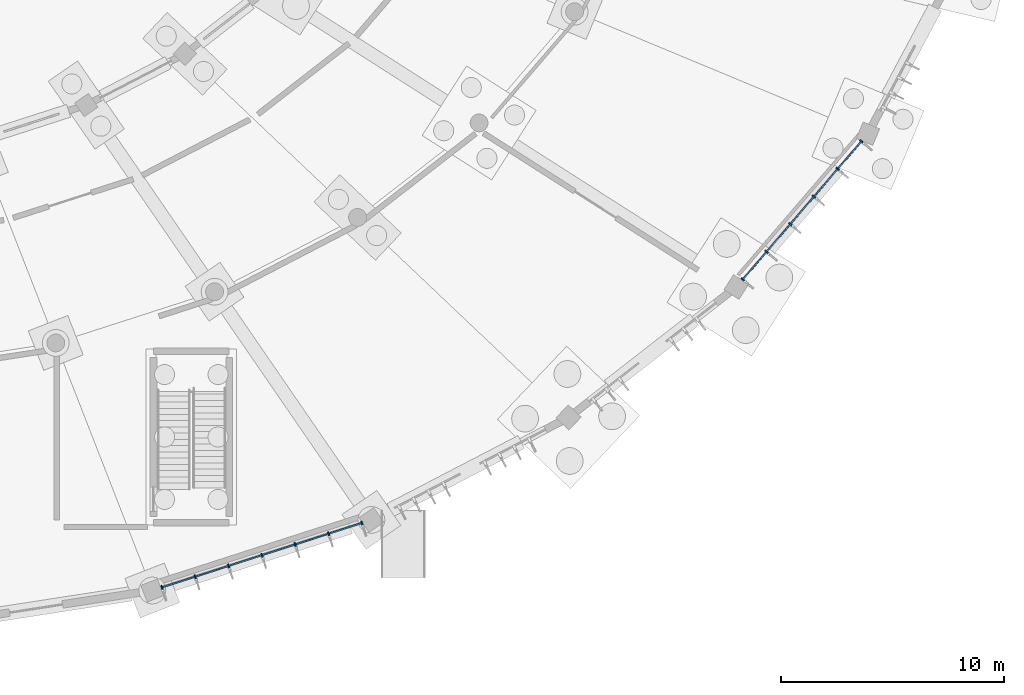
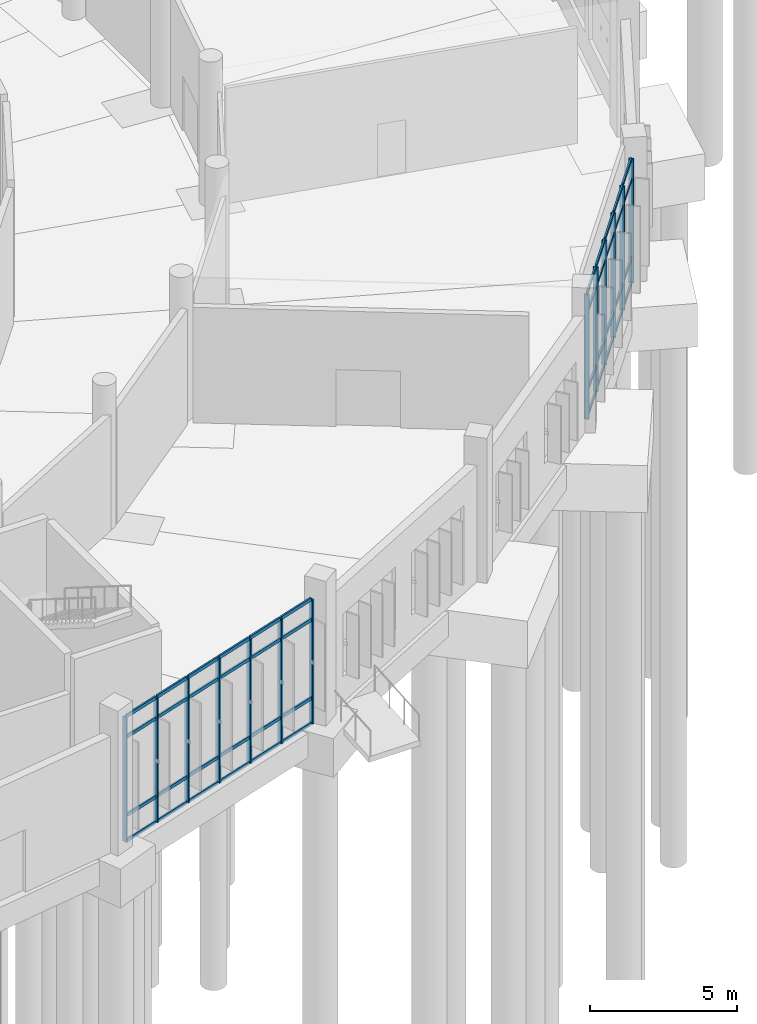
# One storey, part 40 of 140: 57 members, 2 elements without a shape of their own.
"""IFC4 building model written with IfcOpenShell, lengths in metres."""

from ifc_helpers import new_model, si_unit, direction, frame, origin, origin_2d, place, context, subcontext, project, spatial, rectangle, extrude, material, layer, layer_set, material_profile, profile_set, type_object, element, aggregate, save


model = new_model("IFC4")

# Units and contexts
model_context = context("Model", 3, precision=1e-05, world=origin(), true_north=direction((0.0, 1.0)))
body_context = subcontext(model_context, "Body", "Model", "MODEL_VIEW")
ifc_project = project(units=[si_unit("LENGTHUNIT", "METRE"), si_unit("AREAUNIT", "SQUARE_METRE"), si_unit("VOLUMEUNIT", "CUBIC_METRE"), si_unit("PLANEANGLEUNIT", "RADIAN"), si_unit("MASSUNIT", "GRAM", prefix="KILO")], contexts=[model_context])

# Site, building, storey
site_placement = place(None, origin())
site = spatial("IfcSite", under=ifc_project, at=site_placement, CompositionType="ELEMENT")
building_placement = place(site_placement, origin())
building = spatial("IfcBuilding", under=site, at=building_placement, Name="Corvandel Quay Wholesale Market", CompositionType="ELEMENT")
storey_placement = place(building_placement, origin())
storey = spatial("IfcBuildingStorey", under=building, at=storey_placement, Name="L00", CompositionType="ELEMENT", Elevation=0.0)

# Curtain wall, members
ifc_material_1 = material(Name="Bronze anodised aluminium and low-E insulated glazing", Category="aluminium")
ifc_layer_1 = layer(ifc_material_1, 0.162109375)
ifc_layer_set_1 = layer_set([ifc_layer_1], Name="Bronze anodised aluminium and low-E insulated glazing")
curtain_wall_type_1 = type_object("IfcCurtainWallType", Name="Stick Curtain Wall System CW26 H5340", PredefinedType="NOTDEFINED", material=ifc_layer_set_1)
curtain_wall_1_placement = place(storey_placement, origin())
curtain_wall_1 = element("IfcCurtainWall", 1, at=curtain_wall_1_placement, inside=storey, type_object=curtain_wall_type_1, Name="Curtain Wall CW-0075", PredefinedType="NOTDEFINED")
ifc_material_2 = material(Name="Anodised aluminium 6063-T6", Category="aluminium")
ifc_material_profile_1 = material_profile(ifc_material_2, rectangle(XDim=0.06494140625, YDim=0.179931640625, at=origin_2d()), Name="ALU-MUL-65x180")
ifc_profile_set_1 = profile_set([ifc_material_profile_1], Name="Anodised aluminium 6063-T6")
member_type_1 = type_object("IfcMemberType", Name="Curtain Wall Mullion ML01 65x180", PredefinedType="MULLION", material=ifc_profile_set_1)
member_1_placement = place(storey_placement, frame((130.17919921875, 1.751953125, 0.0), z_axis=(0.0, 0.0, 1.0), x_axis=(0.951808747363, 0.306692204733, 0.0)))
member_1 = element("IfcMember", 2, at=member_1_placement, type_object=member_type_1, Name="Mullion CW-0075-M00", PredefinedType="MULLION", context=body_context, shape_type="SweptSolid", body=[
    extrude(rectangle(XDim=0.06494140625, YDim=0.179931640625, at=origin_2d()), origin(), (0.0, 0.0, 1.0), 5.14990234375),
])
member_2_placement = place(storey_placement, frame((131.674560546875, 2.233642578125, 0.0), z_axis=(0.0, 0.0, 1.0), x_axis=(0.951808747363, 0.306692204733, 0.0)))
member_2 = element("IfcMember", 3, at=member_2_placement, type_object=member_type_1, Name="Mullion CW-0075-M01", PredefinedType="MULLION", context=body_context, shape_type="SweptSolid", body=[
    extrude(rectangle(XDim=0.06494140625, YDim=0.179931640625, at=origin_2d()), origin(), (0.0, 0.0, 1.0), 5.14990234375),
])
member_3_placement = place(storey_placement, frame((133.169921875, 2.71533203125, 0.0), z_axis=(0.0, 0.0, 1.0), x_axis=(0.951808747363, 0.306692204733, 0.0)))
member_3 = element("IfcMember", 4, at=member_3_placement, type_object=member_type_1, Name="Mullion CW-0075-M02", PredefinedType="MULLION", context=body_context, shape_type="SweptSolid", body=[
    extrude(rectangle(XDim=0.06494140625, YDim=0.179931640625, at=origin_2d()), origin(), (0.0, 0.0, 1.0), 5.14990234375),
])
member_4_placement = place(storey_placement, frame((134.6650390625, 3.197021484375, 0.0), z_axis=(0.0, 0.0, 1.0), x_axis=(0.951808747363, 0.306692204733, 0.0)))
member_4 = element("IfcMember", 5, at=member_4_placement, type_object=member_type_1, Name="Mullion CW-0075-M03", PredefinedType="MULLION", context=body_context, shape_type="SweptSolid", body=[
    extrude(rectangle(XDim=0.06494140625, YDim=0.179931640625, at=origin_2d()), origin(), (0.0, 0.0, 1.0), 5.14990234375),
])
member_5_placement = place(storey_placement, frame((136.16015625, 3.6787109375, 0.0), z_axis=(0.0, 0.0, 1.0), x_axis=(0.951808747363, 0.306692204733, 0.0)))
member_5 = element("IfcMember", 6, at=member_5_placement, type_object=member_type_1, Name="Mullion CW-0075-M04", PredefinedType="MULLION", context=body_context, shape_type="SweptSolid", body=[
    extrude(rectangle(XDim=0.06494140625, YDim=0.179931640625, at=origin_2d()), origin(), (0.0, 0.0, 1.0), 5.14990234375),
])
member_6_placement = place(storey_placement, frame((137.655517578125, 4.160400390625, 0.0), z_axis=(0.0, 0.0, 1.0), x_axis=(0.951808747363, 0.306692204733, 0.0)))
member_6 = element("IfcMember", 7, at=member_6_placement, type_object=member_type_1, Name="Mullion CW-0075-M05", PredefinedType="MULLION", context=body_context, shape_type="SweptSolid", body=[
    extrude(rectangle(XDim=0.06494140625, YDim=0.179931640625, at=origin_2d()), origin(), (0.0, 0.0, 1.0), 5.14990234375),
])
member_7_placement = place(storey_placement, frame((139.150634765625, 4.64208984375, 0.0), z_axis=(0.0, 0.0, 1.0), x_axis=(0.951808747363, 0.306692204733, 0.0)))
member_7 = element("IfcMember", 8, at=member_7_placement, type_object=member_type_1, Name="Mullion CW-0075-M06", PredefinedType="MULLION", context=body_context, shape_type="SweptSolid", body=[
    extrude(rectangle(XDim=0.06494140625, YDim=0.179931640625, at=origin_2d()), origin(), (0.0, 0.0, 1.0), 5.14990234375),
])

ifc_layer_2 = layer(ifc_material_1, 0.162109375)
ifc_layer_set_2 = layer_set([ifc_layer_2], Name="Bronze anodised aluminium and low-E insulated glazing")
curtain_wall_type_2 = type_object("IfcCurtainWallType", Name="Stick Curtain Wall System CW01 H3090", PredefinedType="NOTDEFINED", material=ifc_layer_set_2)
curtain_wall_2_placement = place(storey_placement, origin())
curtain_wall_2 = element("IfcCurtainWall", 9, at=curtain_wall_2_placement, inside=storey, type_object=curtain_wall_type_2, Name="Curtain Wall CW-0084", PredefinedType="NOTDEFINED")
member_8_placement = place(storey_placement, frame((156.23828125, 15.568359375, 0.0), z_axis=(0.0, 0.0, 1.0), x_axis=(0.651568967347, 0.758589401976, 0.0)))
member_8 = element("IfcMember", 10, at=member_8_placement, type_object=member_type_1, Name="Mullion CW-0084-M00", PredefinedType="MULLION", context=body_context, shape_type="SweptSolid", body=[
    extrude(rectangle(XDim=0.06494140625, YDim=0.179931640625, at=origin_2d()), origin(), (0.0, 0.0, 1.0), 5.14990234375),
])
member_9_placement = place(storey_placement, frame((157.302734375, 16.8076171875, 0.0), z_axis=(0.0, 0.0, 1.0), x_axis=(0.651568967347, 0.758589401976, 0.0)))
member_9 = element("IfcMember", 11, at=member_9_placement, type_object=member_type_1, Name="Mullion CW-0084-M01", PredefinedType="MULLION", context=body_context, shape_type="SweptSolid", body=[
    extrude(rectangle(XDim=0.06494140625, YDim=0.179931640625, at=origin_2d()), origin(), (0.0, 0.0, 1.0), 5.14990234375),
])
member_10_placement = place(storey_placement, frame((158.3671875, 18.046875, 0.0), z_axis=(0.0, 0.0, 1.0), x_axis=(0.651568967347, 0.758589401976, 0.0)))
member_10 = element("IfcMember", 12, at=member_10_placement, type_object=member_type_1, Name="Mullion CW-0084-M02", PredefinedType="MULLION", context=body_context, shape_type="SweptSolid", body=[
    extrude(rectangle(XDim=0.06494140625, YDim=0.179931640625, at=origin_2d()), origin(), (0.0, 0.0, 1.0), 5.14990234375),
])
member_11_placement = place(storey_placement, frame((159.431884765625, 19.2861328125, 0.0), z_axis=(0.0, 0.0, 1.0), x_axis=(0.651568967347, 0.758589401976, 0.0)))
member_11 = element("IfcMember", 13, at=member_11_placement, type_object=member_type_1, Name="Mullion CW-0084-M03", PredefinedType="MULLION", context=body_context, shape_type="SweptSolid", body=[
    extrude(rectangle(XDim=0.06494140625, YDim=0.179931640625, at=origin_2d()), origin(), (0.0, 0.0, 1.0), 5.14990234375),
])
member_12_placement = place(storey_placement, frame((160.496337890625, 20.525390625, 0.0), z_axis=(0.0, 0.0, 1.0), x_axis=(0.651568967347, 0.758589401976, 0.0)))
member_12 = element("IfcMember", 14, at=member_12_placement, type_object=member_type_1, Name="Mullion CW-0084-M04", PredefinedType="MULLION", context=body_context, shape_type="SweptSolid", body=[
    extrude(rectangle(XDim=0.06494140625, YDim=0.179931640625, at=origin_2d()), origin(), (0.0, 0.0, 1.0), 5.14990234375),
])
member_13_placement = place(storey_placement, frame((161.560791015625, 21.7646484375, 0.0), z_axis=(0.0, 0.0, 1.0), x_axis=(0.651568967347, 0.758589401976, 0.0)))
member_13 = element("IfcMember", 15, at=member_13_placement, type_object=member_type_1, Name="Mullion CW-0084-M05", PredefinedType="MULLION", context=body_context, shape_type="SweptSolid", body=[
    extrude(rectangle(XDim=0.06494140625, YDim=0.179931640625, at=origin_2d()), origin(), (0.0, 0.0, 1.0), 5.14990234375),
])

# Member
ifc_material_profile_2 = material_profile(ifc_material_2, rectangle(XDim=0.06494140625, YDim=0.139892578125, at=origin_2d()), Name="ALU-TRN-65x140")
ifc_profile_set_2 = profile_set([ifc_material_profile_2], Name="Anodised aluminium 6063-T6")
member_type_2 = type_object("IfcMemberType", Name="Curtain Wall Transom TR01 65x140", PredefinedType="USERDEFINED", material=ifc_profile_set_2)
member_14_placement = place(storey_placement, frame((130.210205078125, 1.761962890625, 0.0), z_axis=(0.951844521141, 0.30658115985, 0.0), x_axis=(-0.30658115985, 0.951844521141, 0.0)))
member_14 = element("IfcMember", 16, at=member_14_placement, type_object=member_type_2, Name="Transom CW-0075-T00-0", ObjectType="TRANSOM", PredefinedType="USERDEFINED", context=body_context, shape_type="SweptSolid", body=[
    extrude(rectangle(XDim=0.06494140625, YDim=0.139892578125, at=origin_2d()), origin(), (0.0, 0.0, 1.0), 1.505859375),
])

member_15_placement = place(storey_placement, frame((130.210205078125, 1.761962890625, 1.050048828125), z_axis=(0.951844521141, 0.30658115985, 0.0), x_axis=(-0.30658115985, 0.951844521141, 0.0)))
member_15 = element("IfcMember", 17, at=member_15_placement, type_object=member_type_2, Name="Transom CW-0075-T00-1", ObjectType="TRANSOM", PredefinedType="USERDEFINED", context=body_context, shape_type="SweptSolid", body=[
    extrude(rectangle(XDim=0.06494140625, YDim=0.139892578125, at=origin_2d()), origin(), (0.0, 0.0, 1.0), 1.505859375),
])

member_16_placement = place(storey_placement, frame((130.210205078125, 1.761962890625, 4.300048828125), z_axis=(0.951844521141, 0.30658115985, 0.0), x_axis=(-0.30658115985, 0.951844521141, 0.0)))
member_16 = element("IfcMember", 18, at=member_16_placement, type_object=member_type_2, Name="Transom CW-0075-T00-2", ObjectType="TRANSOM", PredefinedType="USERDEFINED", context=body_context, shape_type="SweptSolid", body=[
    extrude(rectangle(XDim=0.06494140625, YDim=0.139892578125, at=origin_2d()), origin(), (0.0, 0.0, 1.0), 1.505859375),
])

member_17_placement = place(storey_placement, frame((130.210205078125, 1.761962890625, 5.14990234375), z_axis=(0.951844521141, 0.30658115985, 0.0), x_axis=(-0.30658115985, 0.951844521141, 0.0)))
member_17 = element("IfcMember", 19, at=member_17_placement, type_object=member_type_2, Name="Transom CW-0075-T00-3", ObjectType="TRANSOM", PredefinedType="USERDEFINED", context=body_context, shape_type="SweptSolid", body=[
    extrude(rectangle(XDim=0.06494140625, YDim=0.139892578125, at=origin_2d()), origin(), (0.0, 0.0, 1.0), 1.505859375),
])

member_18_placement = place(storey_placement, frame((131.70556640625, 2.24365234375, 0.0), z_axis=(0.951844521141, 0.30658115985, 0.0), x_axis=(-0.30658115985, 0.951844521141, 0.0)))
member_18 = element("IfcMember", 20, at=member_18_placement, type_object=member_type_2, Name="Transom CW-0075-T01-0", ObjectType="TRANSOM", PredefinedType="USERDEFINED", context=body_context, shape_type="SweptSolid", body=[
    extrude(rectangle(XDim=0.06494140625, YDim=0.139892578125, at=origin_2d()), origin(), (0.0, 0.0, 1.0), 1.505859375),
])

member_19_placement = place(storey_placement, frame((131.70556640625, 2.24365234375, 1.050048828125), z_axis=(0.951844521141, 0.30658115985, 0.0), x_axis=(-0.30658115985, 0.951844521141, 0.0)))
member_19 = element("IfcMember", 21, at=member_19_placement, type_object=member_type_2, Name="Transom CW-0075-T01-1", ObjectType="TRANSOM", PredefinedType="USERDEFINED", context=body_context, shape_type="SweptSolid", body=[
    extrude(rectangle(XDim=0.06494140625, YDim=0.139892578125, at=origin_2d()), origin(), (0.0, 0.0, 1.0), 1.505859375),
])

member_20_placement = place(storey_placement, frame((131.70556640625, 2.24365234375, 4.300048828125), z_axis=(0.951844521141, 0.30658115985, 0.0), x_axis=(-0.30658115985, 0.951844521141, 0.0)))
member_20 = element("IfcMember", 22, at=member_20_placement, type_object=member_type_2, Name="Transom CW-0075-T01-2", ObjectType="TRANSOM", PredefinedType="USERDEFINED", context=body_context, shape_type="SweptSolid", body=[
    extrude(rectangle(XDim=0.06494140625, YDim=0.139892578125, at=origin_2d()), origin(), (0.0, 0.0, 1.0), 1.505859375),
])

member_21_placement = place(storey_placement, frame((131.70556640625, 2.24365234375, 5.14990234375), z_axis=(0.951844521141, 0.30658115985, 0.0), x_axis=(-0.30658115985, 0.951844521141, 0.0)))
member_21 = element("IfcMember", 23, at=member_21_placement, type_object=member_type_2, Name="Transom CW-0075-T01-3", ObjectType="TRANSOM", PredefinedType="USERDEFINED", context=body_context, shape_type="SweptSolid", body=[
    extrude(rectangle(XDim=0.06494140625, YDim=0.139892578125, at=origin_2d()), origin(), (0.0, 0.0, 1.0), 1.505859375),
])

member_22_placement = place(storey_placement, frame((133.20068359375, 2.725341796875, 0.0), z_axis=(0.951844521141, 0.30658115985, 0.0), x_axis=(-0.30658115985, 0.951844521141, 0.0)))
member_22 = element("IfcMember", 24, at=member_22_placement, type_object=member_type_2, Name="Transom CW-0075-T02-0", ObjectType="TRANSOM", PredefinedType="USERDEFINED", context=body_context, shape_type="SweptSolid", body=[
    extrude(rectangle(XDim=0.06494140625, YDim=0.139892578125, at=origin_2d()), origin(), (0.0, 0.0, 1.0), 1.505859375),
])

member_23_placement = place(storey_placement, frame((133.20068359375, 2.725341796875, 1.050048828125), z_axis=(0.951844521141, 0.30658115985, 0.0), x_axis=(-0.30658115985, 0.951844521141, 0.0)))
member_23 = element("IfcMember", 25, at=member_23_placement, type_object=member_type_2, Name="Transom CW-0075-T02-1", ObjectType="TRANSOM", PredefinedType="USERDEFINED", context=body_context, shape_type="SweptSolid", body=[
    extrude(rectangle(XDim=0.06494140625, YDim=0.139892578125, at=origin_2d()), origin(), (0.0, 0.0, 1.0), 1.505859375),
])

member_24_placement = place(storey_placement, frame((133.20068359375, 2.725341796875, 4.300048828125), z_axis=(0.951844521141, 0.30658115985, 0.0), x_axis=(-0.30658115985, 0.951844521141, 0.0)))
member_24 = element("IfcMember", 26, at=member_24_placement, type_object=member_type_2, Name="Transom CW-0075-T02-2", ObjectType="TRANSOM", PredefinedType="USERDEFINED", context=body_context, shape_type="SweptSolid", body=[
    extrude(rectangle(XDim=0.06494140625, YDim=0.139892578125, at=origin_2d()), origin(), (0.0, 0.0, 1.0), 1.505859375),
])

member_25_placement = place(storey_placement, frame((133.20068359375, 2.725341796875, 5.14990234375), z_axis=(0.951844521141, 0.30658115985, 0.0), x_axis=(-0.30658115985, 0.951844521141, 0.0)))
member_25 = element("IfcMember", 27, at=member_25_placement, type_object=member_type_2, Name="Transom CW-0075-T02-3", ObjectType="TRANSOM", PredefinedType="USERDEFINED", context=body_context, shape_type="SweptSolid", body=[
    extrude(rectangle(XDim=0.06494140625, YDim=0.139892578125, at=origin_2d()), origin(), (0.0, 0.0, 1.0), 1.505859375),
])

member_26_placement = place(storey_placement, frame((134.69580078125, 3.20703125, 0.0), z_axis=(0.951859756207, 0.306533855413, 0.0), x_axis=(-0.306533855413, 0.951859756207, 0.0)))
member_26 = element("IfcMember", 28, at=member_26_placement, type_object=member_type_2, Name="Transom CW-0075-T03-0", ObjectType="TRANSOM", PredefinedType="USERDEFINED", context=body_context, shape_type="SweptSolid", body=[
    extrude(rectangle(XDim=0.06494140625, YDim=0.139892578125, at=origin_2d()), origin(), (0.0, 0.0, 1.0), 1.506103515625),
])

member_27_placement = place(storey_placement, frame((134.69580078125, 3.20703125, 1.050048828125), z_axis=(0.951859756207, 0.306533855413, 0.0), x_axis=(-0.306533855413, 0.951859756207, 0.0)))
member_27 = element("IfcMember", 29, at=member_27_placement, type_object=member_type_2, Name="Transom CW-0075-T03-1", ObjectType="TRANSOM", PredefinedType="USERDEFINED", context=body_context, shape_type="SweptSolid", body=[
    extrude(rectangle(XDim=0.06494140625, YDim=0.139892578125, at=origin_2d()), origin(), (0.0, 0.0, 1.0), 1.506103515625),
])

member_28_placement = place(storey_placement, frame((134.69580078125, 3.20703125, 4.300048828125), z_axis=(0.951859756207, 0.306533855413, 0.0), x_axis=(-0.306533855413, 0.951859756207, 0.0)))
member_28 = element("IfcMember", 30, at=member_28_placement, type_object=member_type_2, Name="Transom CW-0075-T03-2", ObjectType="TRANSOM", PredefinedType="USERDEFINED", context=body_context, shape_type="SweptSolid", body=[
    extrude(rectangle(XDim=0.06494140625, YDim=0.139892578125, at=origin_2d()), origin(), (0.0, 0.0, 1.0), 1.506103515625),
])

member_29_placement = place(storey_placement, frame((134.69580078125, 3.20703125, 5.14990234375), z_axis=(0.951859756207, 0.306533855413, 0.0), x_axis=(-0.306533855413, 0.951859756207, 0.0)))
member_29 = element("IfcMember", 31, at=member_29_placement, type_object=member_type_2, Name="Transom CW-0075-T03-3", ObjectType="TRANSOM", PredefinedType="USERDEFINED", context=body_context, shape_type="SweptSolid", body=[
    extrude(rectangle(XDim=0.06494140625, YDim=0.139892578125, at=origin_2d()), origin(), (0.0, 0.0, 1.0), 1.506103515625),
])

member_30_placement = place(storey_placement, frame((136.191162109375, 3.688720703125, 0.0), z_axis=(0.951844521141, 0.30658115985, 0.0), x_axis=(-0.30658115985, 0.951844521141, 0.0)))
member_30 = element("IfcMember", 32, at=member_30_placement, type_object=member_type_2, Name="Transom CW-0075-T04-0", ObjectType="TRANSOM", PredefinedType="USERDEFINED", context=body_context, shape_type="SweptSolid", body=[
    extrude(rectangle(XDim=0.06494140625, YDim=0.139892578125, at=origin_2d()), origin(), (0.0, 0.0, 1.0), 1.505859375),
])

member_31_placement = place(storey_placement, frame((136.191162109375, 3.688720703125, 1.050048828125), z_axis=(0.951844521141, 0.30658115985, 0.0), x_axis=(-0.30658115985, 0.951844521141, 0.0)))
member_31 = element("IfcMember", 33, at=member_31_placement, type_object=member_type_2, Name="Transom CW-0075-T04-1", ObjectType="TRANSOM", PredefinedType="USERDEFINED", context=body_context, shape_type="SweptSolid", body=[
    extrude(rectangle(XDim=0.06494140625, YDim=0.139892578125, at=origin_2d()), origin(), (0.0, 0.0, 1.0), 1.505859375),
])

member_32_placement = place(storey_placement, frame((136.191162109375, 3.688720703125, 4.300048828125), z_axis=(0.951844521141, 0.30658115985, 0.0), x_axis=(-0.30658115985, 0.951844521141, 0.0)))
member_32 = element("IfcMember", 34, at=member_32_placement, type_object=member_type_2, Name="Transom CW-0075-T04-2", ObjectType="TRANSOM", PredefinedType="USERDEFINED", context=body_context, shape_type="SweptSolid", body=[
    extrude(rectangle(XDim=0.06494140625, YDim=0.139892578125, at=origin_2d()), origin(), (0.0, 0.0, 1.0), 1.505859375),
])

member_33_placement = place(storey_placement, frame((136.191162109375, 3.688720703125, 5.14990234375), z_axis=(0.951844521141, 0.30658115985, 0.0), x_axis=(-0.30658115985, 0.951844521141, 0.0)))
member_33 = element("IfcMember", 35, at=member_33_placement, type_object=member_type_2, Name="Transom CW-0075-T04-3", ObjectType="TRANSOM", PredefinedType="USERDEFINED", context=body_context, shape_type="SweptSolid", body=[
    extrude(rectangle(XDim=0.06494140625, YDim=0.139892578125, at=origin_2d()), origin(), (0.0, 0.0, 1.0), 1.505859375),
])

member_34_placement = place(storey_placement, frame((137.686279296875, 4.17041015625, 0.0), z_axis=(0.951859756207, 0.306533855413, 0.0), x_axis=(-0.306533855413, 0.951859756207, 0.0)))
member_34 = element("IfcMember", 36, at=member_34_placement, type_object=member_type_2, Name="Transom CW-0075-T05-0", ObjectType="TRANSOM", PredefinedType="USERDEFINED", context=body_context, shape_type="SweptSolid", body=[
    extrude(rectangle(XDim=0.06494140625, YDim=0.139892578125, at=origin_2d()), origin(), (0.0, 0.0, 1.0), 1.506103515625),
])

member_35_placement = place(storey_placement, frame((137.686279296875, 4.17041015625, 1.050048828125), z_axis=(0.951859756207, 0.306533855413, 0.0), x_axis=(-0.306533855413, 0.951859756207, 0.0)))
member_35 = element("IfcMember", 37, at=member_35_placement, type_object=member_type_2, Name="Transom CW-0075-T05-1", ObjectType="TRANSOM", PredefinedType="USERDEFINED", context=body_context, shape_type="SweptSolid", body=[
    extrude(rectangle(XDim=0.06494140625, YDim=0.139892578125, at=origin_2d()), origin(), (0.0, 0.0, 1.0), 1.506103515625),
])

member_36_placement = place(storey_placement, frame((137.686279296875, 4.17041015625, 4.300048828125), z_axis=(0.951859756207, 0.306533855413, 0.0), x_axis=(-0.306533855413, 0.951859756207, 0.0)))
member_36 = element("IfcMember", 38, at=member_36_placement, type_object=member_type_2, Name="Transom CW-0075-T05-2", ObjectType="TRANSOM", PredefinedType="USERDEFINED", context=body_context, shape_type="SweptSolid", body=[
    extrude(rectangle(XDim=0.06494140625, YDim=0.139892578125, at=origin_2d()), origin(), (0.0, 0.0, 1.0), 1.506103515625),
])

member_37_placement = place(storey_placement, frame((137.686279296875, 4.17041015625, 5.14990234375), z_axis=(0.951859756207, 0.306533855413, 0.0), x_axis=(-0.306533855413, 0.951859756207, 0.0)))
member_37 = element("IfcMember", 39, at=member_37_placement, type_object=member_type_2, Name="Transom CW-0075-T05-3", ObjectType="TRANSOM", PredefinedType="USERDEFINED", context=body_context, shape_type="SweptSolid", body=[
    extrude(rectangle(XDim=0.06494140625, YDim=0.139892578125, at=origin_2d()), origin(), (0.0, 0.0, 1.0), 1.506103515625),
])

aggregate(curtain_wall_1, [member_1, member_2, member_3, member_4, member_5, member_6, member_7, member_14, member_15, member_16, member_17, member_18, member_19, member_20, member_21, member_22, member_23, member_24, member_25, member_26, member_27, member_28, member_29, member_30, member_31, member_32, member_33, member_34, member_35, member_36, member_37])

member_38_placement = place(storey_placement, frame((156.259521484375, 15.593017578125, 0.0), z_axis=(0.651534500411, 0.758619005018, 0.0), x_axis=(-0.758619005018, 0.651534500411, 0.0)))
member_38 = element("IfcMember", 40, at=member_38_placement, type_object=member_type_2, Name="Transom CW-0084-T00-0", ObjectType="TRANSOM", PredefinedType="USERDEFINED", context=body_context, shape_type="SweptSolid", body=[
    extrude(rectangle(XDim=0.06494140625, YDim=0.139892578125, at=origin_2d()), origin(), (0.0, 0.0, 1.0), 1.568603515625),
])

member_39_placement = place(storey_placement, frame((156.259521484375, 15.593017578125, 1.050048828125), z_axis=(0.651534500411, 0.758619005018, 0.0), x_axis=(-0.758619005018, 0.651534500411, 0.0)))
member_39 = element("IfcMember", 41, at=member_39_placement, type_object=member_type_2, Name="Transom CW-0084-T00-1", ObjectType="TRANSOM", PredefinedType="USERDEFINED", context=body_context, shape_type="SweptSolid", body=[
    extrude(rectangle(XDim=0.06494140625, YDim=0.139892578125, at=origin_2d()), origin(), (0.0, 0.0, 1.0), 1.568603515625),
])

member_40_placement = place(storey_placement, frame((156.259521484375, 15.593017578125, 4.300048828125), z_axis=(0.651534500411, 0.758619005018, 0.0), x_axis=(-0.758619005018, 0.651534500411, 0.0)))
member_40 = element("IfcMember", 42, at=member_40_placement, type_object=member_type_2, Name="Transom CW-0084-T00-2", ObjectType="TRANSOM", PredefinedType="USERDEFINED", context=body_context, shape_type="SweptSolid", body=[
    extrude(rectangle(XDim=0.06494140625, YDim=0.139892578125, at=origin_2d()), origin(), (0.0, 0.0, 1.0), 1.568603515625),
])

member_41_placement = place(storey_placement, frame((156.259521484375, 15.593017578125, 5.14990234375), z_axis=(0.651534500411, 0.758619005018, 0.0), x_axis=(-0.758619005018, 0.651534500411, 0.0)))
member_41 = element("IfcMember", 43, at=member_41_placement, type_object=member_type_2, Name="Transom CW-0084-T00-3", ObjectType="TRANSOM", PredefinedType="USERDEFINED", context=body_context, shape_type="SweptSolid", body=[
    extrude(rectangle(XDim=0.06494140625, YDim=0.139892578125, at=origin_2d()), origin(), (0.0, 0.0, 1.0), 1.568603515625),
])

member_42_placement = place(storey_placement, frame((157.323974609375, 16.832275390625, 0.0), z_axis=(0.651624061542, 0.758542076894, 0.0), x_axis=(-0.758542076894, 0.651624061542, 0.0)))
member_42 = element("IfcMember", 44, at=member_42_placement, type_object=member_type_2, Name="Transom CW-0084-T01-0", ObjectType="TRANSOM", PredefinedType="USERDEFINED", context=body_context, shape_type="SweptSolid", body=[
    extrude(rectangle(XDim=0.06494140625, YDim=0.139892578125, at=origin_2d()), origin(), (0.0, 0.0, 1.0), 1.568603515625),
])

member_43_placement = place(storey_placement, frame((157.323974609375, 16.832275390625, 1.050048828125), z_axis=(0.651624061542, 0.758542076894, 0.0), x_axis=(-0.758542076894, 0.651624061542, 0.0)))
member_43 = element("IfcMember", 45, at=member_43_placement, type_object=member_type_2, Name="Transom CW-0084-T01-1", ObjectType="TRANSOM", PredefinedType="USERDEFINED", context=body_context, shape_type="SweptSolid", body=[
    extrude(rectangle(XDim=0.06494140625, YDim=0.139892578125, at=origin_2d()), origin(), (0.0, 0.0, 1.0), 1.568603515625),
])

member_44_placement = place(storey_placement, frame((157.323974609375, 16.832275390625, 4.300048828125), z_axis=(0.651624061542, 0.758542076894, 0.0), x_axis=(-0.758542076894, 0.651624061542, 0.0)))
member_44 = element("IfcMember", 46, at=member_44_placement, type_object=member_type_2, Name="Transom CW-0084-T01-2", ObjectType="TRANSOM", PredefinedType="USERDEFINED", context=body_context, shape_type="SweptSolid", body=[
    extrude(rectangle(XDim=0.06494140625, YDim=0.139892578125, at=origin_2d()), origin(), (0.0, 0.0, 1.0), 1.568603515625),
])

member_45_placement = place(storey_placement, frame((157.323974609375, 16.832275390625, 5.14990234375), z_axis=(0.651624061542, 0.758542076894, 0.0), x_axis=(-0.758542076894, 0.651624061542, 0.0)))
member_45 = element("IfcMember", 47, at=member_45_placement, type_object=member_type_2, Name="Transom CW-0084-T01-3", ObjectType="TRANSOM", PredefinedType="USERDEFINED", context=body_context, shape_type="SweptSolid", body=[
    extrude(rectangle(XDim=0.06494140625, YDim=0.139892578125, at=origin_2d()), origin(), (0.0, 0.0, 1.0), 1.568603515625),
])

member_46_placement = place(storey_placement, frame((158.388427734375, 18.071533203125, 0.0), z_axis=(0.651624061542, 0.758542076894, 0.0), x_axis=(-0.758542076894, 0.651624061542, 0.0)))
member_46 = element("IfcMember", 48, at=member_46_placement, type_object=member_type_2, Name="Transom CW-0084-T02-0", ObjectType="TRANSOM", PredefinedType="USERDEFINED", context=body_context, shape_type="SweptSolid", body=[
    extrude(rectangle(XDim=0.06494140625, YDim=0.139892578125, at=origin_2d()), origin(), (0.0, 0.0, 1.0), 1.568603515625),
])

member_47_placement = place(storey_placement, frame((158.388427734375, 18.071533203125, 1.050048828125), z_axis=(0.651624061542, 0.758542076894, 0.0), x_axis=(-0.758542076894, 0.651624061542, 0.0)))
member_47 = element("IfcMember", 49, at=member_47_placement, type_object=member_type_2, Name="Transom CW-0084-T02-1", ObjectType="TRANSOM", PredefinedType="USERDEFINED", context=body_context, shape_type="SweptSolid", body=[
    extrude(rectangle(XDim=0.06494140625, YDim=0.139892578125, at=origin_2d()), origin(), (0.0, 0.0, 1.0), 1.568603515625),
])

member_48_placement = place(storey_placement, frame((158.388427734375, 18.071533203125, 4.300048828125), z_axis=(0.651624061542, 0.758542076894, 0.0), x_axis=(-0.758542076894, 0.651624061542, 0.0)))
member_48 = element("IfcMember", 50, at=member_48_placement, type_object=member_type_2, Name="Transom CW-0084-T02-2", ObjectType="TRANSOM", PredefinedType="USERDEFINED", context=body_context, shape_type="SweptSolid", body=[
    extrude(rectangle(XDim=0.06494140625, YDim=0.139892578125, at=origin_2d()), origin(), (0.0, 0.0, 1.0), 1.568603515625),
])

member_49_placement = place(storey_placement, frame((158.388427734375, 18.071533203125, 5.14990234375), z_axis=(0.651624061542, 0.758542076894, 0.0), x_axis=(-0.758542076894, 0.651624061542, 0.0)))
member_49 = element("IfcMember", 51, at=member_49_placement, type_object=member_type_2, Name="Transom CW-0084-T02-3", ObjectType="TRANSOM", PredefinedType="USERDEFINED", context=body_context, shape_type="SweptSolid", body=[
    extrude(rectangle(XDim=0.06494140625, YDim=0.139892578125, at=origin_2d()), origin(), (0.0, 0.0, 1.0), 1.568603515625),
])

member_50_placement = place(storey_placement, frame((159.452880859375, 19.310791015625, 0.0), z_axis=(0.651624061542, 0.758542076894, 0.0), x_axis=(-0.758542076894, 0.651624061542, 0.0)))
member_50 = element("IfcMember", 52, at=member_50_placement, type_object=member_type_2, Name="Transom CW-0084-T03-0", ObjectType="TRANSOM", PredefinedType="USERDEFINED", context=body_context, shape_type="SweptSolid", body=[
    extrude(rectangle(XDim=0.06494140625, YDim=0.139892578125, at=origin_2d()), origin(), (0.0, 0.0, 1.0), 1.568603515625),
])

member_51_placement = place(storey_placement, frame((159.452880859375, 19.310791015625, 1.050048828125), z_axis=(0.651624061542, 0.758542076894, 0.0), x_axis=(-0.758542076894, 0.651624061542, 0.0)))
member_51 = element("IfcMember", 53, at=member_51_placement, type_object=member_type_2, Name="Transom CW-0084-T03-1", ObjectType="TRANSOM", PredefinedType="USERDEFINED", context=body_context, shape_type="SweptSolid", body=[
    extrude(rectangle(XDim=0.06494140625, YDim=0.139892578125, at=origin_2d()), origin(), (0.0, 0.0, 1.0), 1.568603515625),
])

member_52_placement = place(storey_placement, frame((159.452880859375, 19.310791015625, 4.300048828125), z_axis=(0.651624061542, 0.758542076894, 0.0), x_axis=(-0.758542076894, 0.651624061542, 0.0)))
member_52 = element("IfcMember", 54, at=member_52_placement, type_object=member_type_2, Name="Transom CW-0084-T03-2", ObjectType="TRANSOM", PredefinedType="USERDEFINED", context=body_context, shape_type="SweptSolid", body=[
    extrude(rectangle(XDim=0.06494140625, YDim=0.139892578125, at=origin_2d()), origin(), (0.0, 0.0, 1.0), 1.568603515625),
])

member_53_placement = place(storey_placement, frame((159.452880859375, 19.310791015625, 5.14990234375), z_axis=(0.651624061542, 0.758542076894, 0.0), x_axis=(-0.758542076894, 0.651624061542, 0.0)))
member_53 = element("IfcMember", 55, at=member_53_placement, type_object=member_type_2, Name="Transom CW-0084-T03-3", ObjectType="TRANSOM", PredefinedType="USERDEFINED", context=body_context, shape_type="SweptSolid", body=[
    extrude(rectangle(XDim=0.06494140625, YDim=0.139892578125, at=origin_2d()), origin(), (0.0, 0.0, 1.0), 1.568603515625),
])

member_54_placement = place(storey_placement, frame((160.517578125, 20.550048828125, 0.0), z_axis=(0.651534500411, 0.758619005018, 0.0), x_axis=(-0.758619005018, 0.651534500411, 0.0)))
member_54 = element("IfcMember", 56, at=member_54_placement, type_object=member_type_2, Name="Transom CW-0084-T04-0", ObjectType="TRANSOM", PredefinedType="USERDEFINED", context=body_context, shape_type="SweptSolid", body=[
    extrude(rectangle(XDim=0.06494140625, YDim=0.139892578125, at=origin_2d()), origin(), (0.0, 0.0, 1.0), 1.568603515625),
])

member_55_placement = place(storey_placement, frame((160.517578125, 20.550048828125, 1.050048828125), z_axis=(0.651534500411, 0.758619005018, 0.0), x_axis=(-0.758619005018, 0.651534500411, 0.0)))
member_55 = element("IfcMember", 57, at=member_55_placement, type_object=member_type_2, Name="Transom CW-0084-T04-1", ObjectType="TRANSOM", PredefinedType="USERDEFINED", context=body_context, shape_type="SweptSolid", body=[
    extrude(rectangle(XDim=0.06494140625, YDim=0.139892578125, at=origin_2d()), origin(), (0.0, 0.0, 1.0), 1.568603515625),
])

member_56_placement = place(storey_placement, frame((160.517578125, 20.550048828125, 4.300048828125), z_axis=(0.651534500411, 0.758619005018, 0.0), x_axis=(-0.758619005018, 0.651534500411, 0.0)))
member_56 = element("IfcMember", 58, at=member_56_placement, type_object=member_type_2, Name="Transom CW-0084-T04-2", ObjectType="TRANSOM", PredefinedType="USERDEFINED", context=body_context, shape_type="SweptSolid", body=[
    extrude(rectangle(XDim=0.06494140625, YDim=0.139892578125, at=origin_2d()), origin(), (0.0, 0.0, 1.0), 1.568603515625),
])

member_57_placement = place(storey_placement, frame((160.517578125, 20.550048828125, 5.14990234375), z_axis=(0.651534500411, 0.758619005018, 0.0), x_axis=(-0.758619005018, 0.651534500411, 0.0)))
member_57 = element("IfcMember", 59, at=member_57_placement, type_object=member_type_2, Name="Transom CW-0084-T04-3", ObjectType="TRANSOM", PredefinedType="USERDEFINED", context=body_context, shape_type="SweptSolid", body=[
    extrude(rectangle(XDim=0.06494140625, YDim=0.139892578125, at=origin_2d()), origin(), (0.0, 0.0, 1.0), 1.568603515625),
])

aggregate(curtain_wall_2, [member_8, member_9, member_10, member_11, member_12, member_13, member_38, member_39, member_40, member_41, member_42, member_43, member_44, member_45, member_46, member_47, member_48, member_49, member_50, member_51, member_52, member_53, member_54, member_55, member_56, member_57])

save(model, "model.ifc")
